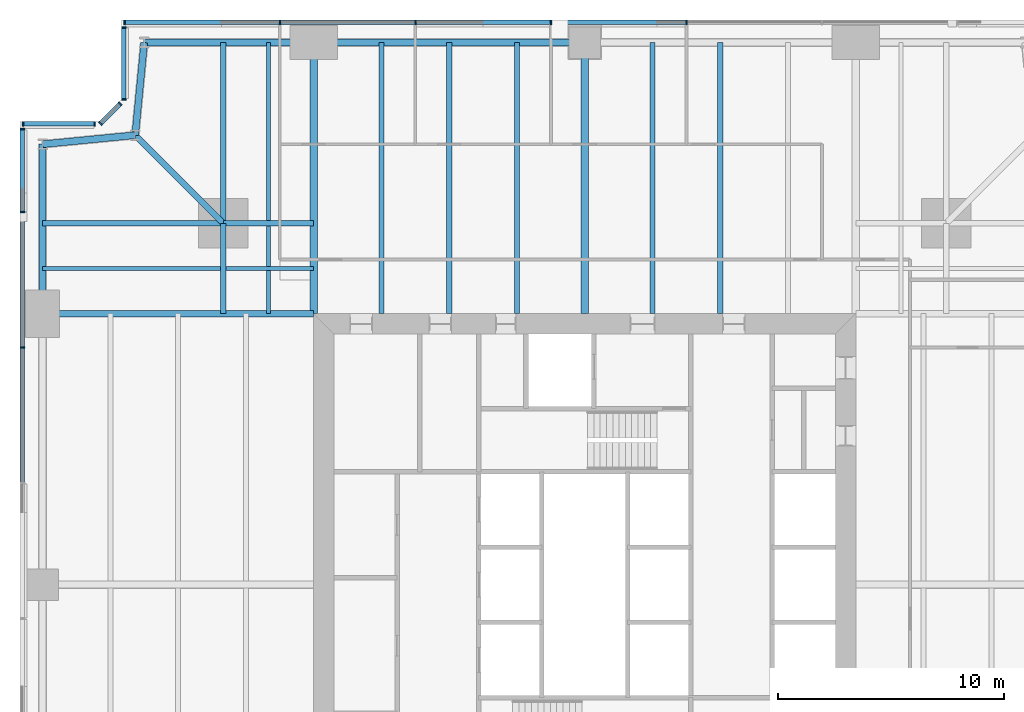
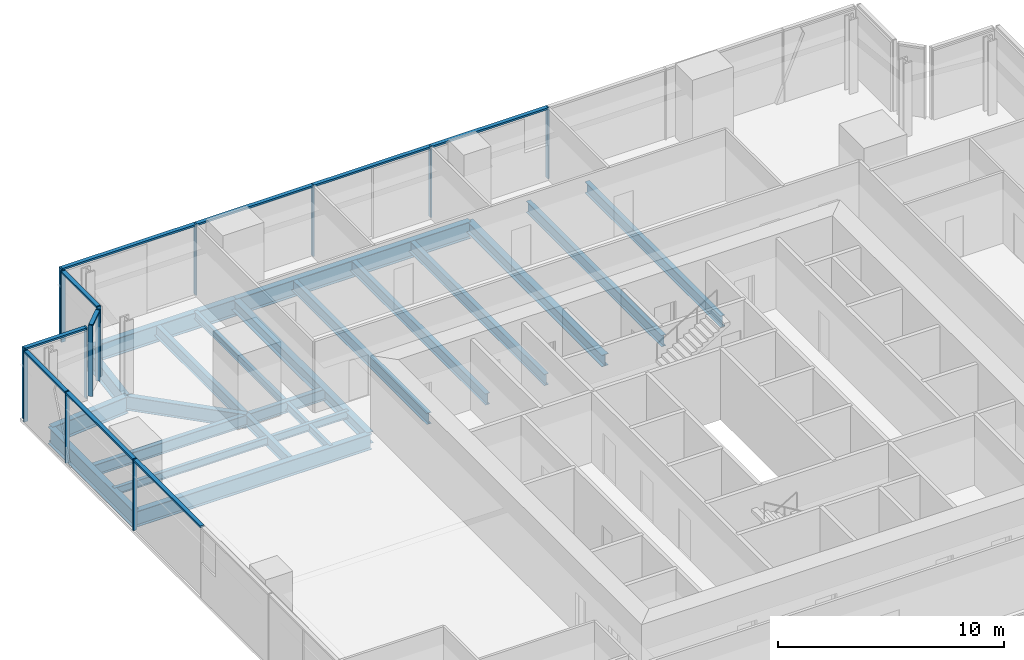
# One storey, part 6 of 13: 24 members, 23 beams, 5 elements without a shape of their own.
"""IFC4 building model written with IfcOpenShell, lengths in metres."""

from ifc_helpers import new_model, si_unit, direction, frame, origin, origin_2d, place, context, subcontext, project, spatial, rectangle, i_section, extrude, material, material_profile, profile_set, type_object, element, aggregate, save


model = new_model("IFC4")

# Units and contexts
model_context = context("Model", 3, precision=1e-05, world=origin(), true_north=direction((0.0, 1.0)))
body_context = subcontext(model_context, "Body", "Model", "MODEL_VIEW")
ifc_project = project(units=[si_unit("LENGTHUNIT", "METRE"), si_unit("AREAUNIT", "SQUARE_METRE"), si_unit("VOLUMEUNIT", "CUBIC_METRE"), si_unit("PLANEANGLEUNIT", "RADIAN"), si_unit("MASSUNIT", "GRAM", prefix="KILO")], contexts=[model_context])

# Site, building, storey
site_placement = place(None, origin())
site = spatial("IfcSite", under=ifc_project, at=site_placement, CompositionType="ELEMENT")
building_placement = place(site_placement, origin())
building = spatial("IfcBuilding", under=site, at=building_placement, Name="Fenwick Lantern Interchange", CompositionType="ELEMENT")
storey_placement = place(building_placement, frame((0.0, 0.0, 110.39990234375)))
storey = spatial("IfcBuildingStorey", under=building, at=storey_placement, Name="L25", CompositionType="ELEMENT", Elevation=110.39990234375)

# Beams
ifc_material_1 = material(Name="Steel ASTM A992 Grade 50", Category="steel")
ifc_material_profile_1 = material_profile(ifc_material_1, i_section(OverallWidth=0.3046875, OverallDepth=0.911865234375, WebThickness=0.015869140625, FlangeThickness=0.02392578125, at=origin_2d()), Name="W36X150")
ifc_profile_set_1 = profile_set([ifc_material_profile_1], Name="Steel ASTM A992 Grade 50")
beam_type_1 = type_object("IfcBeamType", Name="EDGE BEAM W36X150", PredefinedType="SPANDREL", material=ifc_profile_set_1)
beam_1_placement = place(storey_placement, frame((25.0, 49.0, -0.605712890625), z_axis=(-1.0, 0.0, 0.0), x_axis=(0.0, -1.0, 0.0)))
element("IfcBeam", 1, at=beam_1_placement, inside=storey, type_object=beam_type_1, Name="L25/FR/N/EB3", PredefinedType="SPANDREL", context=body_context, shape_type="SweptSolid", body=[
    extrude(i_section(OverallWidth=0.3046875, OverallDepth=0.911865234375, WebThickness=0.015869140625, FlangeThickness=0.02392578125, at=origin_2d()), origin(), (0.0, 0.0, 1.0), 12.0),
])
beam_2_placement = place(storey_placement, frame((13.0, 49.0, -0.605712890625), z_axis=(-1.0, 0.0, 0.0), x_axis=(0.0, -1.0, 0.0)))
element("IfcBeam", 2, at=beam_2_placement, inside=storey, type_object=beam_type_1, Name="L25/FR/N/EB4", PredefinedType="SPANDREL", context=body_context, shape_type="SweptSolid", body=[
    extrude(i_section(OverallWidth=0.3046875, OverallDepth=0.911865234375, WebThickness=0.015869140625, FlangeThickness=0.02392578125, at=origin_2d()), origin(), (0.0, 0.0, 1.0), 7.5),
])
for number, where, z_axis, x_axis, name in (
    (3, (5.5, 49.0, -0.605712890625), (-0.097074191287, -0.995277148028, 0.0), (0.995277148028, -0.097074191287, 0.0), "L25/FR/N/EBR1"),
    (4, (5.10009765625, 44.89990234375, -0.605712890625), (-0.995277148028, -0.097074191287, 0.0), (0.097074191287, -0.995277148028, 0.0), "L25/FR/N/EBR2"),
):
    element("IfcBeam", number, at=place(storey_placement, frame(where, z_axis=z_axis, x_axis=x_axis)), inside=storey, type_object=beam_type_1, Name=name, PredefinedType="SPANDREL", context=body_context, shape_type="SweptSolid", body=[
        extrude(i_section(OverallWidth=0.3046875, OverallDepth=0.911865234375, WebThickness=0.015869140625, FlangeThickness=0.02392578125, at=origin_2d()), origin(), (0.0, 0.0, 1.0), 4.11962890625),
    ])
beam_3_placement = place(storey_placement, frame((1.0, 44.5, -0.605712890625), z_axis=(0.0, -1.0, 0.0), x_axis=(1.0, 0.0, 0.0)))
element("IfcBeam", 5, at=beam_3_placement, inside=storey, type_object=beam_type_1, Name="L25/FR/W/EB1", PredefinedType="SPANDREL", context=body_context, shape_type="SweptSolid", body=[
    extrude(i_section(OverallWidth=0.3046875, OverallDepth=0.911865234375, WebThickness=0.015869140625, FlangeThickness=0.02392578125, at=origin_2d()), origin(), (0.0, 0.0, 1.0), 7.5),
])
ifc_material_profile_2 = material_profile(ifc_material_1, i_section(OverallWidth=0.22900390625, OverallDepth=0.612060546875, WebThickness=0.011962890625, FlangeThickness=0.01953125, at=origin_2d()), Name="W24X84")
ifc_profile_set_2 = profile_set([ifc_material_profile_2], Name="Steel ASTM A992 Grade 50")
beam_type_2 = type_object("IfcBeamType", Name="FLOOR BEAM W24X84", PredefinedType="BEAM", material=ifc_profile_set_2)
for number, where, z_axis, x_axis, name in (
    (6, (31.0, 49.0, -0.4560546875), (0.0, -1.0, 0.0), (1.0, 0.0, 0.0), "L25/FR/N/R03"),
    (7, (28.0, 49.0, -0.4560546875), (0.0, -1.0, 0.0), (1.0, 0.0, 0.0), "L25/FR/N/R04"),
    (8, (22.0, 49.0, -0.4560546875), (0.0, -1.0, 0.0), (1.0, 0.0, 0.0), "L25/FR/N/R06"),
    (9, (19.0, 49.0, -0.4560546875), (0.0, -1.0, 0.0), (1.0, 0.0, 0.0), "L25/FR/N/R07"),
    (10, (16.0, 49.0, -0.4560546875), (0.0, -1.0, 0.0), (1.0, 0.0, 0.0), "L25/FR/N/R08"),
):
    element("IfcBeam", number, at=place(storey_placement, frame(where, z_axis=z_axis, x_axis=x_axis)), inside=storey, type_object=beam_type_2, Name=name, PredefinedType="BEAM", context=body_context, shape_type="SweptSolid", body=[
        extrude(i_section(OverallWidth=0.22900390625, OverallDepth=0.612060546875, WebThickness=0.011962890625, FlangeThickness=0.01953125, at=origin_2d()), origin(), (0.0, 0.0, 1.0), 12.0),
    ])
ifc_material_profile_3 = material_profile(ifc_material_1, i_section(OverallWidth=0.177734375, OverallDepth=0.406494140625, WebThickness=0.0078125, FlangeThickness=0.012939453125, at=origin_2d()), Name="W16X40")
ifc_profile_set_3 = profile_set([ifc_material_profile_3], Name="Steel ASTM A992 Grade 50")
beam_type_3 = type_object("IfcBeamType", Name="INFILL BEAM W16X40", PredefinedType="JOIST", material=ifc_profile_set_3)
beam_4_placement = place(storey_placement, frame((1.0, 39.0, -0.35302734375), z_axis=(1.0, 0.0, 0.0), x_axis=(0.0, 1.0, 0.0)))
element("IfcBeam", 11, at=beam_4_placement, inside=storey, type_object=beam_type_3, Name="L25/FR/W/J1", PredefinedType="JOIST", context=body_context, shape_type="SweptSolid", body=[
    extrude(i_section(OverallWidth=0.177734375, OverallDepth=0.406494140625, WebThickness=0.0078125, FlangeThickness=0.012939453125, at=origin_2d()), origin(), (0.0, 0.0, 1.0), 7.885498046875),
])
beam_5_placement = place(storey_placement, frame((9.114501953125, 39.0, -0.35302734375), z_axis=(1.0, 0.0, 0.0), x_axis=(0.0, 1.0, 0.0)))
element("IfcBeam", 12, at=beam_5_placement, inside=storey, type_object=beam_type_3, Name="L25/FR/W/J2", PredefinedType="JOIST", context=body_context, shape_type="SweptSolid", body=[
    extrude(i_section(OverallWidth=0.177734375, OverallDepth=0.406494140625, WebThickness=0.0078125, FlangeThickness=0.012939453125, at=origin_2d()), origin(), (0.0, 0.0, 1.0), 3.885498046875),
])
beam_6_placement = place(storey_placement, frame((11.0, 49.0, -0.35302734375), z_axis=(0.0, -1.0, 0.0), x_axis=(1.0, 0.0, 0.0)))
element("IfcBeam", 13, at=beam_6_placement, inside=storey, type_object=beam_type_3, Name="L25/FR/W/J3", PredefinedType="JOIST", context=body_context, shape_type="SweptSolid", body=[
    extrude(i_section(OverallWidth=0.177734375, OverallDepth=0.406494140625, WebThickness=0.0078125, FlangeThickness=0.012939453125, at=origin_2d()), origin(), (0.0, 0.0, 1.0), 7.885498046875),
])
beam_7_placement = place(storey_placement, frame((11.0, 40.885498046875, -0.35302734375), z_axis=(0.0, -1.0, 0.0), x_axis=(1.0, 0.0, 0.0)))
element("IfcBeam", 14, at=beam_7_placement, inside=storey, type_object=beam_type_3, Name="L25/FR/W/J4", PredefinedType="JOIST", context=body_context, shape_type="SweptSolid", body=[
    extrude(i_section(OverallWidth=0.177734375, OverallDepth=0.406494140625, WebThickness=0.0078125, FlangeThickness=0.012939453125, at=origin_2d()), origin(), (0.0, 0.0, 1.0), 1.796630859375),
])
beam_8_placement = place(storey_placement, frame((11.0, 38.9111328125, -0.35302734375), z_axis=(0.0, -1.0, 0.0), x_axis=(1.0, 0.0, 0.0)))
element("IfcBeam", 15, at=beam_8_placement, inside=storey, type_object=beam_type_3, Name="L25/FR/W/J5", PredefinedType="JOIST", context=body_context, shape_type="SweptSolid", body=[
    extrude(i_section(OverallWidth=0.177734375, OverallDepth=0.406494140625, WebThickness=0.0078125, FlangeThickness=0.012939453125, at=origin_2d()), origin(), (0.0, 0.0, 1.0), 1.9111328125),
])
ifc_material_profile_4 = material_profile(ifc_material_1, i_section(OverallWidth=0.22900390625, OverallDepth=0.612060546875, WebThickness=0.011962890625, FlangeThickness=0.01953125, at=origin_2d()), Name="W24X84")
ifc_profile_set_4 = profile_set([ifc_material_profile_4], Name="Steel ASTM A992 Grade 50")
beam_type_4 = type_object("IfcBeamType", Name="MEGA COLUMN BEAM W24X84", PredefinedType="BEAM", material=ifc_profile_set_4)
for number, where, z_axis, x_axis, name in (
    (16, (9.0, 41.0, -0.4560546875), (-1.0, 0.0, 0.0), (0.0, -1.0, 0.0), "L25/FR/W/MB1"),
    (17, (9.0, 41.0, -0.4560546875), (0.0, 1.0, 0.0), (-1.0, 0.0, 0.0), "L25/FR/W/MB2"),
):
    element("IfcBeam", number, at=place(storey_placement, frame(where, z_axis=z_axis, x_axis=x_axis)), inside=storey, type_object=beam_type_4, Name=name, PredefinedType="BEAM", context=body_context, shape_type="SweptSolid", body=[
        extrude(i_section(OverallWidth=0.22900390625, OverallDepth=0.612060546875, WebThickness=0.011962890625, FlangeThickness=0.01953125, at=origin_2d()), origin(), (0.0, 0.0, 1.0), 8.0),
    ])
for number, where, z_axis, x_axis, name in (
    (18, (9.0, 41.0, -0.4560546875), (0.0, -1.0, 0.0), (1.0, 0.0, 0.0), "L25/FR/W/MB3"),
    (19, (9.0, 41.0, -0.4560546875), (1.0, 0.0, 0.0), (0.0, 1.0, 0.0), "L25/FR/W/MB4"),
):
    element("IfcBeam", number, at=place(storey_placement, frame(where, z_axis=z_axis, x_axis=x_axis)), inside=storey, type_object=beam_type_4, Name=name, PredefinedType="BEAM", context=body_context, shape_type="SweptSolid", body=[
        extrude(i_section(OverallWidth=0.22900390625, OverallDepth=0.612060546875, WebThickness=0.011962890625, FlangeThickness=0.01953125, at=origin_2d()), origin(), (0.0, 0.0, 1.0), 4.0),
    ])
ifc_material_profile_5 = material_profile(ifc_material_1, i_section(OverallWidth=0.32763671875, OverallDepth=0.622314453125, WebThickness=0.015380859375, FlangeThickness=0.0244140625, at=origin_2d()), Name="W24X131")
ifc_profile_set_5 = profile_set([ifc_material_profile_5], Name="Steel ASTM A992 Grade 50")
beam_type_5 = type_object("IfcBeamType", Name="MOMENT-CONNECTED GIRDER W24X131", PredefinedType="BEAM", material=ifc_profile_set_5)
for number, where, z_axis, x_axis, name in (
    (20, (25.0, 49.0, -0.4609375), (0.0, -1.0, 0.0), (1.0, 0.0, 0.0), "L25/FR/N/R05"),
    (21, (13.0, 49.0, -0.4609375), (0.0, -1.0, 0.0), (1.0, 0.0, 0.0), "L25/FR/N/R09"),
):
    element("IfcBeam", number, at=place(storey_placement, frame(where, z_axis=z_axis, x_axis=x_axis)), inside=storey, type_object=beam_type_5, Name=name, PredefinedType="BEAM", context=body_context, shape_type="SweptSolid", body=[
        extrude(i_section(OverallWidth=0.32763671875, OverallDepth=0.622314453125, WebThickness=0.015380859375, FlangeThickness=0.0244140625, at=origin_2d()), origin(), (0.0, 0.0, 1.0), 12.0),
    ])
ifc_material_profile_6 = material_profile(ifc_material_1, i_section(OverallWidth=0.2919921875, OverallDepth=0.845703125, WebThickness=0.015380859375, FlangeThickness=0.0244140625, at=origin_2d()), Name="W33X141")
ifc_profile_set_6 = profile_set([ifc_material_profile_6], Name="Steel ASTM A992 Grade 50")
beam_type_6 = type_object("IfcBeamType", Name="MOMENT-CONNECTED GIRDER W33X141", PredefinedType="BEAM", material=ifc_profile_set_6)
beam_9_placement = place(storey_placement, frame((1.0, 37.0, -0.57275390625), z_axis=(1.0, 0.0, 0.0), x_axis=(0.0, 1.0, 0.0)))
element("IfcBeam", 22, at=beam_9_placement, inside=storey, type_object=beam_type_6, Name="L25/FR/W/R01", PredefinedType="BEAM", context=body_context, shape_type="SweptSolid", body=[
    extrude(i_section(OverallWidth=0.2919921875, OverallDepth=0.845703125, WebThickness=0.015380859375, FlangeThickness=0.0244140625, at=origin_2d()), origin(), (0.0, 0.0, 1.0), 12.0),
])
ifc_material_profile_7 = material_profile(ifc_material_1, i_section(OverallWidth=0.2666015625, OverallDepth=0.7568359375, WebThickness=0.013916015625, FlangeThickness=0.019287109375, at=origin_2d()), Name="W30X108")
ifc_profile_set_7 = profile_set([ifc_material_profile_7], Name="Steel ASTM A992 Grade 50")
beam_type_7 = type_object("IfcBeamType", Name="NOTCH BEAM W30X108", PredefinedType="BEAM", material=ifc_profile_set_7)
beam_10_placement = place(storey_placement, frame((9.0, 41.0, -0.5283203125), z_axis=(-0.707106781187, 0.707106781187, 0.0), x_axis=(-0.707106781187, -0.707106781187, 0.0)))
element("IfcBeam", 23, at=beam_10_placement, inside=storey, type_object=beam_type_7, Name="L25/FR/W/TG", PredefinedType="BEAM", context=body_context, shape_type="SweptSolid", body=[
    extrude(i_section(OverallWidth=0.2666015625, OverallDepth=0.7568359375, WebThickness=0.013916015625, FlangeThickness=0.019287109375, at=origin_2d()), origin(), (0.0, 0.0, 1.0), 5.515380859375),
])

# Curtain wall, members
ifc_material_2 = material(Name="Aluminium curtain wall frame", Category="aluminium")
curtain_wall_type = type_object("IfcCurtainWallType", Name="OFFICE CURTAIN WALL", PredefinedType="USERDEFINED", material=ifc_material_2)
curtain_wall_1_placement = place(storey_placement, origin())
curtain_wall_1 = element("IfcCurtainWall", 24, at=curtain_wall_1_placement, inside=storey, type_object=curtain_wall_type, Name="Office curtain wall 09", ObjectType="OFFICE CURTAIN WALL", PredefinedType="USERDEFINED")
ifc_material_3 = material(Name="Aluminium extrusion", Category="aluminium")
ifc_material_profile_8 = material_profile(ifc_material_3, rectangle(XDim=0.199951171875, YDim=0.06494140625, at=origin_2d()), Name="OFFICE CURTAIN WALL MULLION 65 X 200")
ifc_profile_set_8 = profile_set([ifc_material_profile_8], Name="Aluminium extrusion")
member_type_1 = type_object("IfcMemberType", Name="OFFICE CURTAIN WALL MULLION 65 X 200", PredefinedType="MULLION", material=ifc_profile_set_8)
member_1_placement = place(storey_placement, frame((29.5, 49.89990234375, 0.0), z_axis=(0.0, 0.0, 1.0), x_axis=(0.0, -1.0, 0.0)))
member_1 = element("IfcMember", 25, at=member_1_placement, type_object=member_type_1, Name="L25/CW/09/M03", PredefinedType="MULLION", context=body_context, shape_type="SweptSolid", body=[
    extrude(rectangle(XDim=0.199951171875, YDim=0.06494140625, at=origin_2d()), origin(), (0.0, 0.0, 1.0), 3.85009765625),
])
member_2_placement = place(storey_placement, frame((23.5, 49.89990234375, 0.0), z_axis=(0.0, 0.0, 1.0), x_axis=(0.0, -1.0, 0.0)))
member_2 = element("IfcMember", 26, at=member_2_placement, type_object=member_type_1, Name="L25/CW/09/M04", PredefinedType="MULLION", context=body_context, shape_type="SweptSolid", body=[
    extrude(rectangle(XDim=0.199951171875, YDim=0.06494140625, at=origin_2d()), origin(), (0.0, 0.0, 1.0), 3.85009765625),
])
member_3_placement = place(storey_placement, frame((17.5, 49.89990234375, 0.0), z_axis=(0.0, 0.0, 1.0), x_axis=(0.0, -1.0, 0.0)))
member_3 = element("IfcMember", 27, at=member_3_placement, type_object=member_type_1, Name="L25/CW/09/M05", PredefinedType="MULLION", context=body_context, shape_type="SweptSolid", body=[
    extrude(rectangle(XDim=0.199951171875, YDim=0.06494140625, at=origin_2d()), origin(), (0.0, 0.0, 1.0), 3.85009765625),
])
member_4_placement = place(storey_placement, frame((11.5, 49.89990234375, 0.0), z_axis=(0.0, 0.0, 1.0), x_axis=(0.0, -1.0, 0.0)))
member_4 = element("IfcMember", 28, at=member_4_placement, type_object=member_type_1, Name="L25/CW/09/M06", PredefinedType="MULLION", context=body_context, shape_type="SweptSolid", body=[
    extrude(rectangle(XDim=0.199951171875, YDim=0.06494140625, at=origin_2d()), origin(), (0.0, 0.0, 1.0), 3.85009765625),
])
member_5_placement = place(storey_placement, frame((4.632568359375, 49.89990234375, 0.0), z_axis=(0.0, 0.0, 1.0), x_axis=(0.0, -1.0, 0.0)))
member_5 = element("IfcMember", 29, at=member_5_placement, type_object=member_type_1, Name="L25/CW/09/M07", PredefinedType="MULLION", context=body_context, shape_type="SweptSolid", body=[
    extrude(rectangle(XDim=0.199951171875, YDim=0.06494140625, at=origin_2d()), origin(), (0.0, 0.0, 1.0), 3.85009765625),
])

curtain_wall_2_placement = place(storey_placement, origin())
curtain_wall_2 = element("IfcCurtainWall", 30, at=curtain_wall_2_placement, inside=storey, type_object=curtain_wall_type, Name="Office curtain wall 10", ObjectType="OFFICE CURTAIN WALL", PredefinedType="USERDEFINED")
member_6_placement = place(storey_placement, frame((4.60009765625, 49.66748046875, 0.0), z_axis=(0.0, 0.0, 1.0), x_axis=(1.0, 0.0, 0.0)))
member_6 = element("IfcMember", 31, at=member_6_placement, type_object=member_type_1, Name="L25/CW/10/M00", PredefinedType="MULLION", context=body_context, shape_type="SweptSolid", body=[
    extrude(rectangle(XDim=0.199951171875, YDim=0.06494140625, at=origin_2d()), origin(), (0.0, 0.0, 1.0), 3.85009765625),
])
member_7_placement = place(storey_placement, frame((4.60009765625, 46.490966796875, 0.0), z_axis=(0.0, 0.0, 1.0), x_axis=(1.0, 0.0, 0.0)))
member_7 = element("IfcMember", 32, at=member_7_placement, type_object=member_type_1, Name="L25/CW/10/M01", PredefinedType="MULLION", context=body_context, shape_type="SweptSolid", body=[
    extrude(rectangle(XDim=0.199951171875, YDim=0.06494140625, at=origin_2d()), origin(), (0.0, 0.0, 1.0), 3.85009765625),
])

curtain_wall_3_placement = place(storey_placement, origin())
curtain_wall_3 = element("IfcCurtainWall", 33, at=curtain_wall_3_placement, inside=storey, type_object=curtain_wall_type, Name="Office curtain wall 11", ObjectType="OFFICE CURTAIN WALL", PredefinedType="USERDEFINED")
member_8_placement = place(storey_placement, frame((4.435546875, 46.294189453125, 0.0), z_axis=(0.0, 0.0, 1.0), x_axis=(0.707106781187, -0.707106781187, 0.0)))
member_8 = element("IfcMember", 34, at=member_8_placement, type_object=member_type_1, Name="L25/CW/11/M00", PredefinedType="MULLION", context=body_context, shape_type="SweptSolid", body=[
    extrude(rectangle(XDim=0.199951171875, YDim=0.06494140625, at=origin_2d()), origin(), (0.0, 0.0, 1.0), 3.85009765625),
])
member_9_placement = place(storey_placement, frame((3.564453125, 45.423095703125, 0.0), z_axis=(0.0, 0.0, 1.0), x_axis=(0.707106781187, -0.707106781187, 0.0)))
member_9 = element("IfcMember", 35, at=member_9_placement, type_object=member_type_1, Name="L25/CW/11/M01", PredefinedType="MULLION", context=body_context, shape_type="SweptSolid", body=[
    extrude(rectangle(XDim=0.199951171875, YDim=0.06494140625, at=origin_2d()), origin(), (0.0, 0.0, 1.0), 3.85009765625),
])

curtain_wall_4_placement = place(storey_placement, origin())
curtain_wall_4 = element("IfcCurtainWall", 36, at=curtain_wall_4_placement, inside=storey, type_object=curtain_wall_type, Name="Office curtain wall 12", ObjectType="OFFICE CURTAIN WALL", PredefinedType="USERDEFINED")
member_10_placement = place(storey_placement, frame((3.308837890625, 45.39990234375, 0.0), z_axis=(0.0, 0.0, 1.0), x_axis=(0.0, -1.0, 0.0)))
member_10 = element("IfcMember", 37, at=member_10_placement, type_object=member_type_1, Name="L25/CW/12/M00", PredefinedType="MULLION", context=body_context, shape_type="SweptSolid", body=[
    extrude(rectangle(XDim=0.199951171875, YDim=0.06494140625, at=origin_2d()), origin(), (0.0, 0.0, 1.0), 3.85009765625),
])
member_11_placement = place(storey_placement, frame((0.132568359375, 45.39990234375, 0.0), z_axis=(0.0, 0.0, 1.0), x_axis=(0.0, -1.0, 0.0)))
member_11 = element("IfcMember", 38, at=member_11_placement, type_object=member_type_1, Name="L25/CW/12/M01", PredefinedType="MULLION", context=body_context, shape_type="SweptSolid", body=[
    extrude(rectangle(XDim=0.199951171875, YDim=0.06494140625, at=origin_2d()), origin(), (0.0, 0.0, 1.0), 3.85009765625),
])

curtain_wall_5_placement = place(storey_placement, origin())
curtain_wall_5 = element("IfcCurtainWall", 39, at=curtain_wall_5_placement, inside=storey, type_object=curtain_wall_type, Name="Office curtain wall 13", ObjectType="OFFICE CURTAIN WALL", PredefinedType="USERDEFINED")
member_12_placement = place(storey_placement, frame((0.10009765625, 45.16748046875, 0.0), z_axis=(0.0, 0.0, 1.0), x_axis=(1.0, 0.0, 0.0)))
member_12 = element("IfcMember", 40, at=member_12_placement, type_object=member_type_1, Name="L25/CW/13/M00", PredefinedType="MULLION", context=body_context, shape_type="SweptSolid", body=[
    extrude(rectangle(XDim=0.199951171875, YDim=0.06494140625, at=origin_2d()), origin(), (0.0, 0.0, 1.0), 3.85009765625),
])
member_13_placement = place(storey_placement, frame((0.10009765625, 41.5, 0.0), z_axis=(0.0, 0.0, 1.0), x_axis=(1.0, 0.0, 0.0)))
member_13 = element("IfcMember", 41, at=member_13_placement, type_object=member_type_1, Name="L25/CW/13/M01", PredefinedType="MULLION", context=body_context, shape_type="SweptSolid", body=[
    extrude(rectangle(XDim=0.199951171875, YDim=0.06494140625, at=origin_2d()), origin(), (0.0, 0.0, 1.0), 3.85009765625),
])
member_14_placement = place(storey_placement, frame((0.10009765625, 35.5, 0.0), z_axis=(0.0, 0.0, 1.0), x_axis=(1.0, 0.0, 0.0)))
member_14 = element("IfcMember", 42, at=member_14_placement, type_object=member_type_1, Name="L25/CW/13/M02", PredefinedType="MULLION", context=body_context, shape_type="SweptSolid", body=[
    extrude(rectangle(XDim=0.199951171875, YDim=0.06494140625, at=origin_2d()), origin(), (0.0, 0.0, 1.0), 3.85009765625),
])

# Member
ifc_material_profile_9 = material_profile(ifc_material_3, rectangle(XDim=0.199951171875, YDim=0.10009765625, at=origin_2d()), Name="OFFICE CURTAIN WALL TRANSOM 100 X 200")
ifc_profile_set_9 = profile_set([ifc_material_profile_9], Name="Aluminium extrusion")
member_type_2 = type_object("IfcMemberType", Name="OFFICE CURTAIN WALL TRANSOM 100 X 200", PredefinedType="MULLION", material=ifc_profile_set_9)
member_15_placement = place(storey_placement, frame((29.467529296875, 49.89990234375, 3.800048828125), z_axis=(-1.0, 0.0, 0.0), x_axis=(0.0, -1.0, 0.0)))
member_15 = element("IfcMember", 43, at=member_15_placement, type_object=member_type_2, Name="L25/CW/09/T03", PredefinedType="MULLION", context=body_context, shape_type="SweptSolid", body=[
    extrude(rectangle(XDim=0.199951171875, YDim=0.10009765625, at=origin_2d()), origin(), (0.0, 0.0, 1.0), 5.93505859375),
])

member_16_placement = place(storey_placement, frame((23.467529296875, 49.89990234375, 3.800048828125), z_axis=(-1.0, 0.0, 0.0), x_axis=(0.0, -1.0, 0.0)))
member_16 = element("IfcMember", 44, at=member_16_placement, type_object=member_type_2, Name="L25/CW/09/T04", PredefinedType="MULLION", context=body_context, shape_type="SweptSolid", body=[
    extrude(rectangle(XDim=0.199951171875, YDim=0.10009765625, at=origin_2d()), origin(), (0.0, 0.0, 1.0), 5.93505859375),
])

member_17_placement = place(storey_placement, frame((17.467529296875, 49.89990234375, 3.800048828125), z_axis=(-1.0, 0.0, 0.0), x_axis=(0.0, -1.0, 0.0)))
member_17 = element("IfcMember", 45, at=member_17_placement, type_object=member_type_2, Name="L25/CW/09/T05", PredefinedType="MULLION", context=body_context, shape_type="SweptSolid", body=[
    extrude(rectangle(XDim=0.199951171875, YDim=0.10009765625, at=origin_2d()), origin(), (0.0, 0.0, 1.0), 5.93505859375),
])

member_18_placement = place(storey_placement, frame((11.467529296875, 49.89990234375, 3.800048828125), z_axis=(-1.0, 0.0, 0.0), x_axis=(0.0, -1.0, 0.0)))
member_18 = element("IfcMember", 46, at=member_18_placement, type_object=member_type_2, Name="L25/CW/09/T06", PredefinedType="MULLION", context=body_context, shape_type="SweptSolid", body=[
    extrude(rectangle(XDim=0.199951171875, YDim=0.10009765625, at=origin_2d()), origin(), (0.0, 0.0, 1.0), 6.802490234375),
])

aggregate(curtain_wall_1, [member_1, member_2, member_3, member_4, member_5, member_15, member_16, member_17, member_18])

member_19_placement = place(storey_placement, frame((4.60009765625, 49.635009765625, 3.800048828125), z_axis=(0.0, -1.0, 0.0), x_axis=(1.0, 0.0, 0.0)))
member_19 = element("IfcMember", 47, at=member_19_placement, type_object=member_type_2, Name="L25/CW/10/T00", PredefinedType="MULLION", context=body_context, shape_type="SweptSolid", body=[
    extrude(rectangle(XDim=0.199951171875, YDim=0.10009765625, at=origin_2d()), origin(), (0.0, 0.0, 1.0), 3.111328125),
])

aggregate(curtain_wall_2, [member_6, member_7, member_19])

member_20_placement = place(storey_placement, frame((4.41259765625, 46.271240234375, 3.800048828125), z_axis=(-0.707106781187, -0.707106781187, 0.0), x_axis=(0.707106781187, -0.707106781187, 0.0)))
member_20 = element("IfcMember", 48, at=member_20_placement, type_object=member_type_2, Name="L25/CW/11/T00", PredefinedType="MULLION", context=body_context, shape_type="SweptSolid", body=[
    extrude(rectangle(XDim=0.199951171875, YDim=0.10009765625, at=origin_2d()), origin(), (0.0, 0.0, 1.0), 1.1669921875),
])

aggregate(curtain_wall_3, [member_8, member_9, member_20])

member_21_placement = place(storey_placement, frame((3.2763671875, 45.39990234375, 3.800048828125), z_axis=(-1.0, 0.0, 0.0), x_axis=(0.0, -1.0, 0.0)))
member_21 = element("IfcMember", 49, at=member_21_placement, type_object=member_type_2, Name="L25/CW/12/T00", PredefinedType="MULLION", context=body_context, shape_type="SweptSolid", body=[
    extrude(rectangle(XDim=0.199951171875, YDim=0.10009765625, at=origin_2d()), origin(), (0.0, 0.0, 1.0), 3.111328125),
])

aggregate(curtain_wall_4, [member_10, member_11, member_21])

member_22_placement = place(storey_placement, frame((0.10009765625, 45.135009765625, 3.800048828125), z_axis=(0.0, -1.0, 0.0), x_axis=(1.0, 0.0, 0.0)))
member_22 = element("IfcMember", 50, at=member_22_placement, type_object=member_type_2, Name="L25/CW/13/T00", PredefinedType="MULLION", context=body_context, shape_type="SweptSolid", body=[
    extrude(rectangle(XDim=0.199951171875, YDim=0.10009765625, at=origin_2d()), origin(), (0.0, 0.0, 1.0), 3.6025390625),
])

member_23_placement = place(storey_placement, frame((0.10009765625, 41.467529296875, 3.800048828125), z_axis=(0.0, -1.0, 0.0), x_axis=(1.0, 0.0, 0.0)))
member_23 = element("IfcMember", 51, at=member_23_placement, type_object=member_type_2, Name="L25/CW/13/T01", PredefinedType="MULLION", context=body_context, shape_type="SweptSolid", body=[
    extrude(rectangle(XDim=0.199951171875, YDim=0.10009765625, at=origin_2d()), origin(), (0.0, 0.0, 1.0), 5.93505859375),
])

member_24_placement = place(storey_placement, frame((0.10009765625, 35.467529296875, 3.800048828125), z_axis=(0.0, -1.0, 0.0), x_axis=(1.0, 0.0, 0.0)))
member_24 = element("IfcMember", 52, at=member_24_placement, type_object=member_type_2, Name="L25/CW/13/T02", PredefinedType="MULLION", context=body_context, shape_type="SweptSolid", body=[
    extrude(rectangle(XDim=0.199951171875, YDim=0.10009765625, at=origin_2d()), origin(), (0.0, 0.0, 1.0), 5.93505859375),
])

aggregate(curtain_wall_5, [member_12, member_13, member_14, member_22, member_23, member_24])

save(model, "model.ifc")
